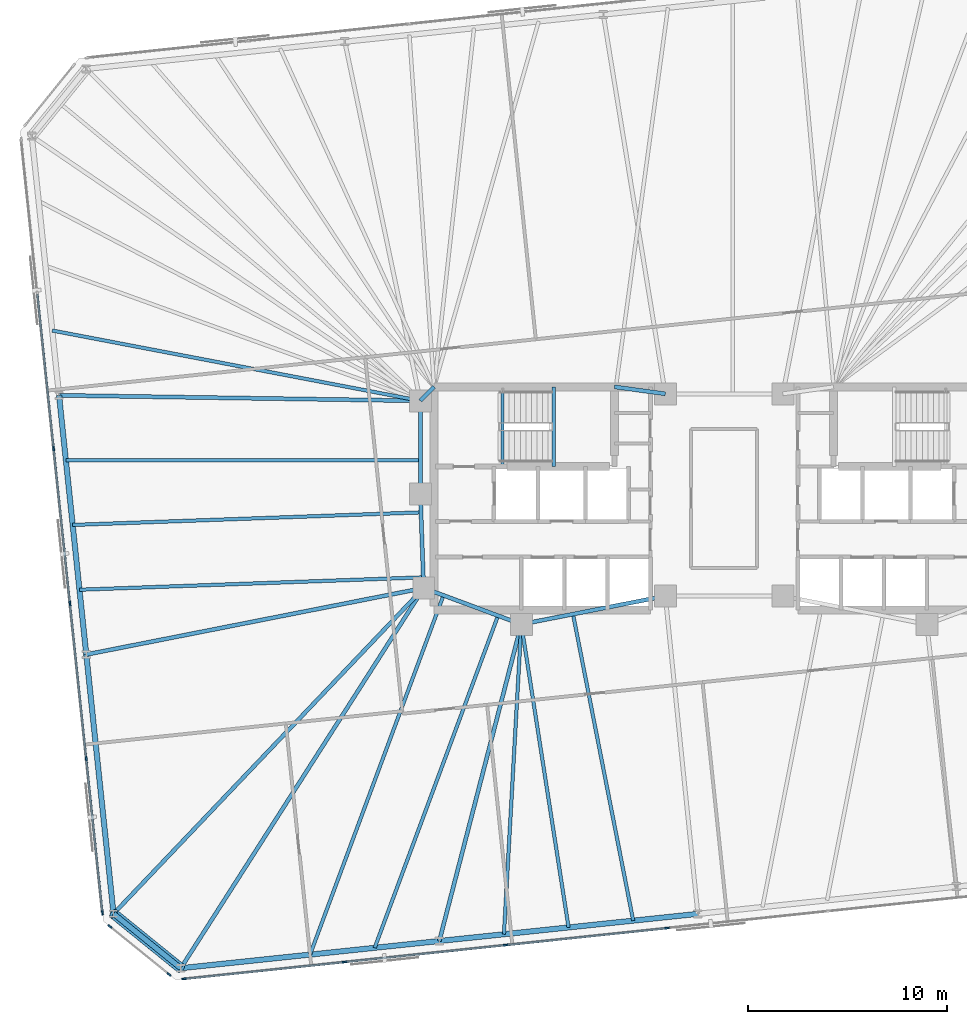
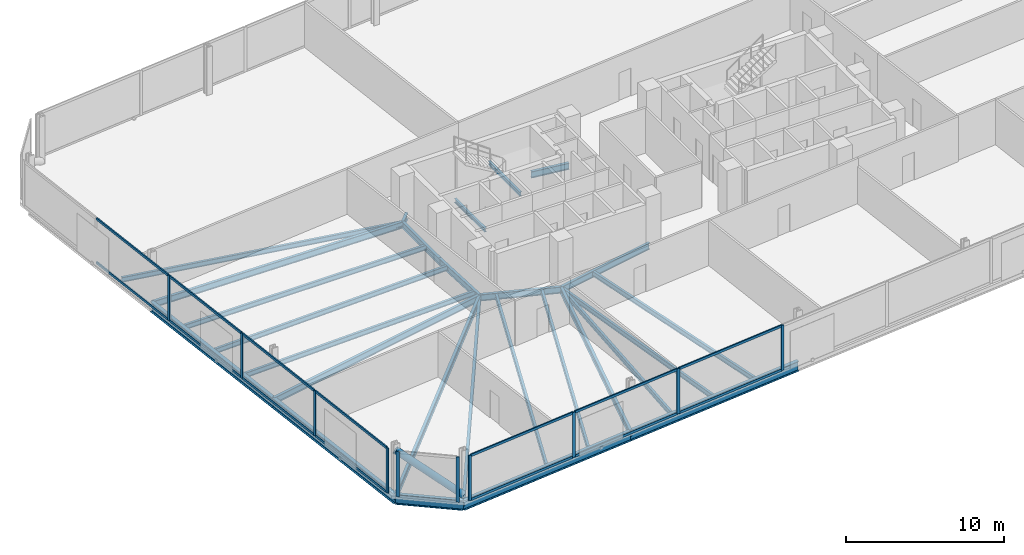
# One storey, part 6 of 18: 27 beams, 25 members, 3 elements without a shape of their own.
"""IFC4 building model written with IfcOpenShell, lengths in metres."""

from ifc_helpers import new_model, si_unit, direction, frame, origin, origin_2d, place, context, subcontext, project, spatial, rectangle, hollow_circle, i_section, extrude, material, material_profile, profile_set, type_object, element, aggregate, save


model = new_model("IFC4")

# Units and contexts
model_context = context("Model", 3, precision=1e-05, world=origin(), true_north=direction((0.0, 1.0)))
body_context = subcontext(model_context, "Body", "Model", "MODEL_VIEW")
ifc_project = project(units=[si_unit("LENGTHUNIT", "METRE"), si_unit("AREAUNIT", "SQUARE_METRE"), si_unit("VOLUMEUNIT", "CUBIC_METRE"), si_unit("PLANEANGLEUNIT", "RADIAN"), si_unit("MASSUNIT", "GRAM", prefix="KILO")], contexts=[model_context])

# Site, building, storey
site_placement = place(None, origin())
site = spatial("IfcSite", under=ifc_project, at=site_placement, CompositionType="ELEMENT")
building_placement = place(site_placement, origin())
building = spatial("IfcBuilding", under=site, at=building_placement, Name="Menara Jurai Vektor", CompositionType="ELEMENT")
storey_placement = place(building_placement, frame((0.0, 0.0, 102.199951171875)))
storey = spatial("IfcBuildingStorey", under=building, at=storey_placement, Name="L25", CompositionType="ELEMENT", Elevation=102.199951171875)

# Curtain wall, members
ifc_material_1 = material(Name="Anodised Pale Aluminium & Low-E Double Glazing", Category="aluminium")
curtain_wall_type = type_object("IfcCurtainWallType", Name="CW-BLK2", PredefinedType="NOTDEFINED", material=ifc_material_1)
curtain_wall_1_placement = place(storey_placement, origin())
curtain_wall_1 = element("IfcCurtainWall", 1, at=curtain_wall_1_placement, inside=storey, type_object=curtain_wall_type, Name="Unitised Curtain Wall L25 F01", PredefinedType="NOTDEFINED")
ifc_material_2 = material(Name="Anodised Pale Aluminium Mullion", Category="aluminium")
ifc_material_profile_1 = material_profile(ifc_material_2, rectangle(XDim=0.090087890625, YDim=0.219970703125, at=origin_2d()), Name="ALU MUL 90x220")
ifc_profile_set_1 = profile_set([ifc_material_profile_1], Name="Anodised Pale Aluminium Mullion")
member_type_1 = type_object("IfcMemberType", Name="CW-BLK2-MUL", PredefinedType="MULLION", material=ifc_profile_set_1)
member_1_placement = place(storey_placement, frame((-27.116455078125, -24.122314453125, 0.0), z_axis=(0.0, 0.0, 1.0), x_axis=(-0.104528634935, 0.994521877325, 0.0)))
member_1 = element("IfcMember", 2, at=member_1_placement, type_object=member_type_1, Name="CW-02 mullion 1", PredefinedType="MULLION", context=body_context, shape_type="SweptSolid", body=[
    extrude(rectangle(XDim=0.090087890625, YDim=0.219970703125, at=origin_2d()), origin(), (0.0, 0.0, 1.0), 3.47509765625),
])
member_2_placement = place(storey_placement, frame((-19.0634765625, -23.27587890625, 0.0), z_axis=(0.0, 0.0, 1.0), x_axis=(-0.104528634935, 0.994521877325, 0.0)))
member_2 = element("IfcMember", 3, at=member_2_placement, type_object=member_type_1, Name="CW-02 mullion 2", PredefinedType="MULLION", context=body_context, shape_type="SweptSolid", body=[
    extrude(rectangle(XDim=0.090087890625, YDim=0.219970703125, at=origin_2d()), origin(), (0.0, 0.0, 1.0), 3.47509765625),
])
member_3_placement = place(storey_placement, frame((-10.965576171875, -22.4248046875, 0.0), z_axis=(0.0, 0.0, 1.0), x_axis=(-0.104528634935, 0.994521877325, 0.0)))
member_3 = element("IfcMember", 4, at=member_3_placement, type_object=member_type_1, Name="CW-02 mullion 3", PredefinedType="MULLION", context=body_context, shape_type="SweptSolid", body=[
    extrude(rectangle(XDim=0.090087890625, YDim=0.219970703125, at=origin_2d()), origin(), (0.0, 0.0, 1.0), 3.47509765625),
])
member_4_placement = place(storey_placement, frame((-2.86767578125, -21.57373046875, 0.0), z_axis=(0.0, 0.0, 1.0), x_axis=(-0.104528634935, 0.994521877325, 0.0)))
member_4 = element("IfcMember", 5, at=member_4_placement, type_object=member_type_1, Name="CW-02 mullion 4", PredefinedType="MULLION", context=body_context, shape_type="SweptSolid", body=[
    extrude(rectangle(XDim=0.090087890625, YDim=0.219970703125, at=origin_2d()), origin(), (0.0, 0.0, 1.0), 3.47509765625),
])

curtain_wall_2_placement = place(storey_placement, origin())
curtain_wall_2 = element("IfcCurtainWall", 6, at=curtain_wall_2_placement, inside=storey, type_object=curtain_wall_type, Name="Unitised Curtain Wall L25 F07", PredefinedType="NOTDEFINED")
member_5_placement = place(storey_placement, frame((-33.66064453125, 2.50341796875, 0.0), z_axis=(0.0, 0.0, 1.0), x_axis=(0.99452177832, 0.104529576902, 0.0)))
member_5 = element("IfcMember", 7, at=member_5_placement, type_object=member_type_1, Name="CW-02 mullion 3", PredefinedType="MULLION", context=body_context, shape_type="SweptSolid", body=[
    extrude(rectangle(XDim=0.090087890625, YDim=0.219970703125, at=origin_2d()), origin(), (0.0, 0.0, 1.0), 3.47509765625),
])
member_6_placement = place(storey_placement, frame((-32.84228515625, -5.28173828125, 0.0), z_axis=(0.0, 0.0, 1.0), x_axis=(0.99452177832, 0.104529576902, 0.0)))
member_6 = element("IfcMember", 8, at=member_6_placement, type_object=member_type_1, Name="CW-02 mullion 4", PredefinedType="MULLION", context=body_context, shape_type="SweptSolid", body=[
    extrude(rectangle(XDim=0.090087890625, YDim=0.219970703125, at=origin_2d()), origin(), (0.0, 0.0, 1.0), 3.47509765625),
])
member_7_placement = place(storey_placement, frame((-32.024169921875, -13.06689453125, 0.0), z_axis=(0.0, 0.0, 1.0), x_axis=(0.99452177832, 0.104529576902, 0.0)))
member_7 = element("IfcMember", 9, at=member_7_placement, type_object=member_type_1, Name="CW-02 mullion 5", PredefinedType="MULLION", context=body_context, shape_type="SweptSolid", body=[
    extrude(rectangle(XDim=0.090087890625, YDim=0.219970703125, at=origin_2d()), origin(), (0.0, 0.0, 1.0), 3.47509765625),
])
member_8_placement = place(storey_placement, frame((-31.21044921875, -20.80712890625, 0.0), z_axis=(0.0, 0.0, 1.0), x_axis=(0.99452177832, 0.104529576902, 0.0)))
member_8 = element("IfcMember", 10, at=member_8_placement, type_object=member_type_1, Name="CW-02 mullion 6", PredefinedType="MULLION", context=body_context, shape_type="SweptSolid", body=[
    extrude(rectangle(XDim=0.090087890625, YDim=0.219970703125, at=origin_2d()), origin(), (0.0, 0.0, 1.0), 3.47509765625),
])

curtain_wall_3_placement = place(storey_placement, origin())
curtain_wall_3 = element("IfcCurtainWall", 11, at=curtain_wall_3_placement, inside=storey, type_object=curtain_wall_type, Name="Unitised Curtain Wall L25 F08", PredefinedType="NOTDEFINED")
member_9_placement = place(storey_placement, frame((-30.8359375, -21.497314453125, 0.0), z_axis=(0.0, 0.0, 1.0), x_axis=(0.629313085353, 0.777151877437, 0.0)))
member_9 = element("IfcMember", 12, at=member_9_placement, type_object=member_type_1, Name="CW-02 mullion 1", PredefinedType="MULLION", context=body_context, shape_type="SweptSolid", body=[
    extrude(rectangle(XDim=0.090087890625, YDim=0.219970703125, at=origin_2d()), origin(), (0.0, 0.0, 1.0), 3.47509765625),
])
member_10_placement = place(storey_placement, frame((-27.869384765625, -23.8994140625, 0.0), z_axis=(0.0, 0.0, 1.0), x_axis=(0.629313085353, 0.777151877437, 0.0)))
member_10 = element("IfcMember", 13, at=member_10_placement, type_object=member_type_1, Name="CW-02 mullion 2", PredefinedType="MULLION", context=body_context, shape_type="SweptSolid", body=[
    extrude(rectangle(XDim=0.090087890625, YDim=0.219970703125, at=origin_2d()), origin(), (0.0, 0.0, 1.0), 3.47509765625),
])
aggregate(curtain_wall_3, [member_9, member_10])

# Member
ifc_material_3 = material(Name="Anodised Pale Aluminium Transom", Category="aluminium")
ifc_material_profile_2 = material_profile(ifc_material_3, rectangle(XDim=0.090087890625, YDim=0.18505859375, at=origin_2d()), Name="ALU TRN 90x185")
ifc_profile_set_2 = profile_set([ifc_material_profile_2], Name="Anodised Pale Aluminium Transom")
member_type_2 = type_object("IfcMemberType", Name="CW-BLK2-TRN", PredefinedType="USERDEFINED", material=ifc_profile_set_2)
member_11_placement = place(storey_placement, frame((-27.07177734375, -24.11767578125, 0.045166015625), z_axis=(0.994523147415, 0.10451655015, 0.0), x_axis=(-0.10451655015, 0.994523147415, 0.0)))
member_11 = element("IfcMember", 14, at=member_11_placement, type_object=member_type_2, Name="CW-02 transom 1.1", ObjectType="TRANSOM", PredefinedType="USERDEFINED", context=body_context, shape_type="SweptSolid", body=[
    extrude(rectangle(XDim=0.090087890625, YDim=0.18505859375, at=origin_2d()), origin(), (0.0, 0.0, 1.0), 8.007568359375),
])

member_12_placement = place(storey_placement, frame((-27.07177734375, -24.11767578125, 3.429931640625), z_axis=(0.994523147415, 0.10451655015, 0.0), x_axis=(-0.10451655015, 0.994523147415, 0.0)))
member_12 = element("IfcMember", 15, at=member_12_placement, type_object=member_type_2, Name="CW-02 transom 1.2", ObjectType="TRANSOM", PredefinedType="USERDEFINED", context=body_context, shape_type="SweptSolid", body=[
    extrude(rectangle(XDim=0.090087890625, YDim=0.18505859375, at=origin_2d()), origin(), (0.0, 0.0, 1.0), 8.007568359375),
])

member_13_placement = place(storey_placement, frame((-19.0185546875, -23.271240234375, 0.045166015625), z_axis=(0.994520726373, 0.10453958492, 0.0), x_axis=(-0.10453958492, 0.994520726373, 0.0)))
member_13 = element("IfcMember", 16, at=member_13_placement, type_object=member_type_2, Name="CW-02 transom 2.1", ObjectType="TRANSOM", PredefinedType="USERDEFINED", context=body_context, shape_type="SweptSolid", body=[
    extrude(rectangle(XDim=0.090087890625, YDim=0.18505859375, at=origin_2d()), origin(), (0.0, 0.0, 1.0), 8.052490234375),
])

member_14_placement = place(storey_placement, frame((-19.0185546875, -23.271240234375, 3.429931640625), z_axis=(0.994520726373, 0.10453958492, 0.0), x_axis=(-0.10453958492, 0.994520726373, 0.0)))
member_14 = element("IfcMember", 17, at=member_14_placement, type_object=member_type_2, Name="CW-02 transom 2.2", ObjectType="TRANSOM", PredefinedType="USERDEFINED", context=body_context, shape_type="SweptSolid", body=[
    extrude(rectangle(XDim=0.090087890625, YDim=0.18505859375, at=origin_2d()), origin(), (0.0, 0.0, 1.0), 8.052490234375),
])

member_15_placement = place(storey_placement, frame((-10.920654296875, -22.420166015625, 0.045166015625), z_axis=(0.994520726373, 0.10453958492, 0.0), x_axis=(-0.10453958492, 0.994520726373, 0.0)))
member_15 = element("IfcMember", 18, at=member_15_placement, type_object=member_type_2, Name="CW-02 transom 3.1", ObjectType="TRANSOM", PredefinedType="USERDEFINED", context=body_context, shape_type="SweptSolid", body=[
    extrude(rectangle(XDim=0.090087890625, YDim=0.18505859375, at=origin_2d()), origin(), (0.0, 0.0, 1.0), 8.052490234375),
])

member_16_placement = place(storey_placement, frame((-10.920654296875, -22.420166015625, 3.429931640625), z_axis=(0.994520726373, 0.10453958492, 0.0), x_axis=(-0.10453958492, 0.994520726373, 0.0)))
member_16 = element("IfcMember", 19, at=member_16_placement, type_object=member_type_2, Name="CW-02 transom 3.2", ObjectType="TRANSOM", PredefinedType="USERDEFINED", context=body_context, shape_type="SweptSolid", body=[
    extrude(rectangle(XDim=0.090087890625, YDim=0.18505859375, at=origin_2d()), origin(), (0.0, 0.0, 1.0), 8.052490234375),
])

aggregate(curtain_wall_1, [member_1, member_2, member_3, member_4, member_11, member_12, member_13, member_14, member_15, member_16])

member_17_placement = place(storey_placement, frame((-34.47412109375, 10.243896484375, 0.045166015625), z_axis=(0.104525476786, -0.994522209256, 0.0), x_axis=(0.994522209256, 0.104525476786, 0.0)))
member_17 = element("IfcMember", 20, at=member_17_placement, type_object=member_type_2, Name="CW-02 transom 2.1", ObjectType="TRANSOM", PredefinedType="USERDEFINED", context=body_context, shape_type="SweptSolid", body=[
    extrude(rectangle(XDim=0.090087890625, YDim=0.18505859375, at=origin_2d()), origin(), (0.0, 0.0, 1.0), 7.73828125),
])

member_18_placement = place(storey_placement, frame((-34.47412109375, 10.243896484375, 3.429931640625), z_axis=(0.104525476786, -0.994522209256, 0.0), x_axis=(0.994522209256, 0.104525476786, 0.0)))
member_18 = element("IfcMember", 21, at=member_18_placement, type_object=member_type_2, Name="CW-02 transom 2.2", ObjectType="TRANSOM", PredefinedType="USERDEFINED", context=body_context, shape_type="SweptSolid", body=[
    extrude(rectangle(XDim=0.090087890625, YDim=0.18505859375, at=origin_2d()), origin(), (0.0, 0.0, 1.0), 7.73828125),
])

member_19_placement = place(storey_placement, frame((-33.65576171875, 2.458740234375, 0.045166015625), z_axis=(0.104525476786, -0.994522209256, 0.0), x_axis=(0.994522209256, 0.104525476786, 0.0)))
member_19 = element("IfcMember", 22, at=member_19_placement, type_object=member_type_2, Name="CW-02 transom 3.1", ObjectType="TRANSOM", PredefinedType="USERDEFINED", context=body_context, shape_type="SweptSolid", body=[
    extrude(rectangle(XDim=0.090087890625, YDim=0.18505859375, at=origin_2d()), origin(), (0.0, 0.0, 1.0), 7.73828125),
])

member_20_placement = place(storey_placement, frame((-33.65576171875, 2.458740234375, 3.429931640625), z_axis=(0.104525476786, -0.994522209256, 0.0), x_axis=(0.994522209256, 0.104525476786, 0.0)))
member_20 = element("IfcMember", 23, at=member_20_placement, type_object=member_type_2, Name="CW-02 transom 3.2", ObjectType="TRANSOM", PredefinedType="USERDEFINED", context=body_context, shape_type="SweptSolid", body=[
    extrude(rectangle(XDim=0.090087890625, YDim=0.18505859375, at=origin_2d()), origin(), (0.0, 0.0, 1.0), 7.73828125),
])

member_21_placement = place(storey_placement, frame((-32.837646484375, -5.326416015625, 0.045166015625), z_axis=(0.104525476786, -0.994522209256, 0.0), x_axis=(0.994522209256, 0.104525476786, 0.0)))
member_21 = element("IfcMember", 24, at=member_21_placement, type_object=member_type_2, Name="CW-02 transom 4.1", ObjectType="TRANSOM", PredefinedType="USERDEFINED", context=body_context, shape_type="SweptSolid", body=[
    extrude(rectangle(XDim=0.090087890625, YDim=0.18505859375, at=origin_2d()), origin(), (0.0, 0.0, 1.0), 7.73828125),
])

member_22_placement = place(storey_placement, frame((-32.837646484375, -5.326416015625, 3.429931640625), z_axis=(0.104525476786, -0.994522209256, 0.0), x_axis=(0.994522209256, 0.104525476786, 0.0)))
member_22 = element("IfcMember", 25, at=member_22_placement, type_object=member_type_2, Name="CW-02 transom 4.2", ObjectType="TRANSOM", PredefinedType="USERDEFINED", context=body_context, shape_type="SweptSolid", body=[
    extrude(rectangle(XDim=0.090087890625, YDim=0.18505859375, at=origin_2d()), origin(), (0.0, 0.0, 1.0), 7.73828125),
])

member_23_placement = place(storey_placement, frame((-32.019287109375, -13.111572265625, 0.045166015625), z_axis=(0.104536105602, -0.994521092097, 0.0), x_axis=(0.994521092097, 0.104536105602, 0.0)))
member_23 = element("IfcMember", 26, at=member_23_placement, type_object=member_type_2, Name="CW-02 transom 5.1", ObjectType="TRANSOM", PredefinedType="USERDEFINED", context=body_context, shape_type="SweptSolid", body=[
    extrude(rectangle(XDim=0.090087890625, YDim=0.18505859375, at=origin_2d()), origin(), (0.0, 0.0, 1.0), 7.693115234375),
])

member_24_placement = place(storey_placement, frame((-32.019287109375, -13.111572265625, 3.429931640625), z_axis=(0.104536105602, -0.994521092097, 0.0), x_axis=(0.994521092097, 0.104536105602, 0.0)))
member_24 = element("IfcMember", 27, at=member_24_placement, type_object=member_type_2, Name="CW-02 transom 5.2", ObjectType="TRANSOM", PredefinedType="USERDEFINED", context=body_context, shape_type="SweptSolid", body=[
    extrude(rectangle(XDim=0.090087890625, YDim=0.18505859375, at=origin_2d()), origin(), (0.0, 0.0, 1.0), 7.693115234375),
])

aggregate(curtain_wall_2, [member_5, member_6, member_7, member_8, member_17, member_18, member_19, member_20, member_21, member_22, member_23, member_24])

# Beams
ifc_material_4 = material(Name="Steel S355", Category="steel")
ifc_material_profile_3 = material_profile(ifc_material_4, i_section(OverallWidth=0.199951171875, OverallDepth=0.5, WebThickness=0.011962890625, FlangeThickness=0.02001953125, at=origin_2d()), Name="PG 500x200x96")
ifc_profile_set_3 = profile_set([ifc_material_profile_3], Name="Steel S355")
beam_type_1 = type_object("IfcBeamType", Name="STR-BM-500", PredefinedType="BEAM", material=ifc_profile_set_3)
beam_1_placement = place(storey_placement, frame((-15.25, 4.89990234375, -0.474853515625), z_axis=(0.701871936926, 0.712303154672, 0.0), x_axis=(-0.712303154672, 0.701871936926, 0.0)))
element("IfcBeam", 28, at=beam_1_placement, inside=storey, type_object=beam_type_1, Name="Core Ring Header Girder L25-CHW-N1", PredefinedType="BEAM", context=body_context, shape_type="SweptSolid", body=[
    extrude(i_section(OverallWidth=0.199951171875, OverallDepth=0.5, WebThickness=0.011962890625, FlangeThickness=0.02001953125, at=origin_2d()), origin(), (0.0, 0.0, 1.0), 0.98291015625),
])
beam_2_placement = place(storey_placement, frame((-5.5, 5.60009765625, -0.474853515625), z_axis=(0.990706818608, -0.136014703483, 0.0), x_axis=(0.136014703483, 0.990706818608, 0.0)))
element("IfcBeam", 29, at=beam_2_placement, inside=storey, type_object=beam_type_1, Name="Core Ring Header Girder L25-CHW-N2", PredefinedType="BEAM", context=body_context, shape_type="SweptSolid", body=[
    extrude(i_section(OverallWidth=0.199951171875, OverallDepth=0.5, WebThickness=0.011962890625, FlangeThickness=0.02001953125, at=origin_2d()), origin(), (0.0, 0.0, 1.0), 2.573974609375),
])
beam_3_placement = place(storey_placement, frame((-15.25, 0.219970703125, -0.474853515625), z_axis=(0.0, 1.0, 0.0), x_axis=(-1.0, 0.0, 0.0)))
element("IfcBeam", 30, at=beam_3_placement, inside=storey, type_object=beam_type_1, Name="Core Ring Header Girder L25-CHW-W1", PredefinedType="BEAM", context=body_context, shape_type="SweptSolid", body=[
    extrude(i_section(OverallWidth=0.199951171875, OverallDepth=0.5, WebThickness=0.011962890625, FlangeThickness=0.02001953125, at=origin_2d()), origin(), (0.0, 0.0, 1.0), 4.679931640625),
])
beam_4_placement = place(storey_placement, frame((-15.080078125, -4.5, -0.474853515625), z_axis=(-0.035977314146, 0.999352606874, 0.0), x_axis=(-0.999352606874, -0.035977314146, 0.0)))
element("IfcBeam", 31, at=beam_4_placement, inside=storey, type_object=beam_type_1, Name="Core Ring Header Girder L25-CHW-W2", PredefinedType="BEAM", context=body_context, shape_type="SweptSolid", body=[
    extrude(i_section(OverallWidth=0.199951171875, OverallDepth=0.5, WebThickness=0.011962890625, FlangeThickness=0.02001953125, at=origin_2d()), origin(), (0.0, 0.0, 1.0), 4.72314453125),
])
beam_5_placement = place(storey_placement, frame((-15.080078125, -4.5, -0.474853515625), z_axis=(0.937424400887, -0.348188874925, 0.0), x_axis=(0.348188874925, 0.937424400887, 0.0)))
element("IfcBeam", 32, at=beam_5_placement, inside=storey, type_object=beam_type_1, Name="Core Ring Header Girder L25-CHW-S1", PredefinedType="BEAM", context=body_context, shape_type="SweptSolid", body=[
    extrude(i_section(OverallWidth=0.199951171875, OverallDepth=0.5, WebThickness=0.011962890625, FlangeThickness=0.02001953125, at=origin_2d()), origin(), (0.0, 0.0, 1.0), 5.227294921875),
])
beam_6_placement = place(storey_placement, frame((-10.179931640625, -6.320068359375, -0.474853515625), z_axis=(0.981249044334, 0.192744164614, 0.0), x_axis=(-0.192744164614, 0.981249044334, 0.0)))
element("IfcBeam", 33, at=beam_6_placement, inside=storey, type_object=beam_type_1, Name="Core Ring Header Girder L25-CHW-S2", PredefinedType="BEAM", context=body_context, shape_type="SweptSolid", body=[
    extrude(i_section(OverallWidth=0.199951171875, OverallDepth=0.5, WebThickness=0.011962890625, FlangeThickness=0.02001953125, at=origin_2d()), origin(), (0.0, 0.0, 1.0), 7.3681640625),
])
beam_7_placement = place(storey_placement, frame((-27.2763671875, -23.586181640625, -0.474853515625), z_axis=(0.538462629542, 0.842649391258, 0.0), x_axis=(-0.842649391258, 0.538462629542, 0.0)))
element("IfcBeam", 34, at=beam_7_placement, inside=storey, type_object=beam_type_1, Name="Radial Floor Girder L25-S1", PredefinedType="BEAM", context=body_context, shape_type="SweptSolid", body=[
    extrude(i_section(OverallWidth=0.199951171875, OverallDepth=0.5, WebThickness=0.011962890625, FlangeThickness=0.02001953125, at=origin_2d()), origin(), (0.0, 0.0, 1.0), 22.650146484375),
])
beam_8_placement = place(storey_placement, frame((-14.296630859375, -22.221923828125, -0.474853515625), z_axis=(0.250619644892, 0.968085633399, 0.0), x_axis=(-0.968085633399, 0.250619644892, 0.0)))
element("IfcBeam", 35, at=beam_8_placement, inside=storey, type_object=beam_type_1, Name="Radial Floor Girder L25-S2", PredefinedType="BEAM", context=body_context, shape_type="SweptSolid", body=[
    extrude(i_section(OverallWidth=0.199951171875, OverallDepth=0.5, WebThickness=0.011962890625, FlangeThickness=0.02001953125, at=origin_2d()), origin(), (0.0, 0.0, 1.0), 16.426025390625),
])
beam_9_placement = place(storey_placement, frame((-33.38818359375, 5.175048828125, -0.474853515625), z_axis=(0.999884963566, -0.015167716827, 0.0), x_axis=(0.015167716827, 0.999884963566, 0.0)))
element("IfcBeam", 36, at=beam_9_placement, inside=storey, type_object=beam_type_1, Name="Radial Floor Girder L25-W2", PredefinedType="BEAM", context=body_context, shape_type="SweptSolid", body=[
    extrude(i_section(OverallWidth=0.199951171875, OverallDepth=0.5, WebThickness=0.011962890625, FlangeThickness=0.02001953125, at=origin_2d()), origin(), (0.0, 0.0, 1.0), 18.140380859375),
])
beam_10_placement = place(storey_placement, frame((-32.0205078125, -7.83837890625, -0.474853515625), z_axis=(0.98113039493, 0.193347221714, 0.0), x_axis=(-0.193347221714, 0.98113039493, 0.0)))
element("IfcBeam", 37, at=beam_10_placement, inside=storey, type_object=beam_type_1, Name="Radial Floor Girder L25-W3", PredefinedType="BEAM", context=body_context, shape_type="SweptSolid", body=[
    extrude(i_section(OverallWidth=0.199951171875, OverallDepth=0.5, WebThickness=0.011962890625, FlangeThickness=0.02001953125, at=origin_2d()), origin(), (0.0, 0.0, 1.0), 17.266357421875),
])
beam_11_placement = place(storey_placement, frame((-30.65283203125, -20.85205078125, -0.474853515625), z_axis=(0.689640593718, 0.724151815227, 0.0), x_axis=(-0.724151815227, 0.689640593718, 0.0)))
element("IfcBeam", 38, at=beam_11_placement, inside=storey, type_object=beam_type_1, Name="Radial Floor Girder L25-W4", PredefinedType="BEAM", context=body_context, shape_type="SweptSolid", body=[
    extrude(i_section(OverallWidth=0.199951171875, OverallDepth=0.5, WebThickness=0.011962890625, FlangeThickness=0.02001953125, at=origin_2d()), origin(), (0.0, 0.0, 1.0), 22.5810546875),
])

# Member
ifc_material_5 = material(Name="Steel S460", Category="steel")
ifc_material_profile_4 = material_profile(ifc_material_5, hollow_circle(Radius=0.25390625, WallThickness=0.02001953125, at=origin_2d()), Name="CHS 508x20")
ifc_profile_set_4 = profile_set([ifc_material_profile_4], Name="Steel S460")
member_type_3 = type_object("IfcMemberType", Name="STR-BR-508", PredefinedType="BRACE", material=ifc_profile_set_4)
member_25_placement = place(storey_placement, frame((-27.2763671875, -23.586181640625, 0.150146484375), z_axis=(-0.641240080956, 0.51925145818, 0.564968213047), x_axis=(-0.629309762217, -0.777154568396, 0.0)))
element("IfcMember", 39, at=member_25_placement, inside=storey, type_object=member_type_3, Name="Exoskeleton Corner Brace L25-4", PredefinedType="BRACE", context=body_context, shape_type="SweptSolid", body=[
    extrude(hollow_circle(Radius=0.25390625, WallThickness=0.02001953125, at=origin_2d()), origin(), (0.0, 0.0, 1.0), 5.265625),
])

# Beams
ifc_material_profile_5 = material_profile(ifc_material_4, i_section(OverallWidth=0.175048828125, OverallDepth=0.3798828125, WebThickness=0.010009765625, FlangeThickness=0.014892578125, at=origin_2d()), Name="PG 380x175x58")
ifc_profile_set_5 = profile_set([ifc_material_profile_5], Name="Steel S355")
beam_type_2 = type_object("IfcBeamType", Name="STR-JS-380", PredefinedType="JOIST", material=ifc_profile_set_5)
beam_12_placement = place(storey_placement, frame((-20.78662109375, -22.904052734375, -0.4150390625), z_axis=(0.34819162731, 0.93742337856, 0.0), x_axis=(-0.93742337856, 0.34819162731, 0.0)))
element("IfcBeam", 40, at=beam_12_placement, inside=storey, type_object=beam_type_2, Name="Radial Secondary Floor Joist L25-JS01", PredefinedType="JOIST", context=body_context, shape_type="SweptSolid", body=[
    extrude(i_section(OverallWidth=0.175048828125, OverallDepth=0.3798828125, WebThickness=0.010009765625, FlangeThickness=0.014892578125, at=origin_2d()), origin(), (0.0, 0.0, 1.0), 19.2392578125),
])
beam_13_placement = place(storey_placement, frame((-17.54150390625, -22.56298828125, -0.4150390625), z_axis=(0.348184462185, 0.937426039906, 0.0), x_axis=(-0.937426039906, 0.348184462185, 0.0)))
element("IfcBeam", 41, at=beam_13_placement, inside=storey, type_object=beam_type_2, Name="Radial Secondary Floor Joist L25-JS02", PredefinedType="JOIST", context=body_context, shape_type="SweptSolid", body=[
    extrude(i_section(OverallWidth=0.175048828125, OverallDepth=0.3798828125, WebThickness=0.010009765625, FlangeThickness=0.014892578125, at=origin_2d()), origin(), (0.0, 0.0, 1.0), 17.789794921875),
])
beam_14_placement = place(storey_placement, frame((-11.0517578125, -21.880859375, -0.4150390625), z_axis=(0.055939382302, 0.998434166837, 0.0), x_axis=(-0.998434166837, 0.055939382302, 0.0)))
element("IfcBeam", 42, at=beam_14_placement, inside=storey, type_object=beam_type_2, Name="Radial Secondary Floor Joist L25-JS03", PredefinedType="JOIST", context=body_context, shape_type="SweptSolid", body=[
    extrude(i_section(OverallWidth=0.175048828125, OverallDepth=0.3798828125, WebThickness=0.010009765625, FlangeThickness=0.014892578125, at=origin_2d()), origin(), (0.0, 0.0, 1.0), 15.585205078125),
])
beam_15_placement = place(storey_placement, frame((-7.806884765625, -21.539794921875, -0.4150390625), z_axis=(-0.154057765645, 0.988061842622, 0.0), x_axis=(-0.988061842622, -0.154057765645, 0.0)))
element("IfcBeam", 43, at=beam_15_placement, inside=storey, type_object=beam_type_2, Name="Radial Secondary Floor Joist L25-JS04", PredefinedType="JOIST", context=body_context, shape_type="SweptSolid", body=[
    extrude(i_section(OverallWidth=0.175048828125, OverallDepth=0.3798828125, WebThickness=0.010009765625, FlangeThickness=0.014892578125, at=origin_2d()), origin(), (0.0, 0.0, 1.0), 15.403564453125),
])
beam_16_placement = place(storey_placement, frame((-4.56201171875, -21.19873046875, -0.4150390625), z_axis=(-0.19271398667, 0.981254971627, 0.0), x_axis=(-0.981254971627, -0.19271398667, 0.0)))
element("IfcBeam", 44, at=beam_16_placement, inside=storey, type_object=beam_type_2, Name="Radial Secondary Floor Joist L25-JS05", PredefinedType="JOIST", context=body_context, shape_type="SweptSolid", body=[
    extrude(i_section(OverallWidth=0.175048828125, OverallDepth=0.3798828125, WebThickness=0.010009765625, FlangeThickness=0.014892578125, at=origin_2d()), origin(), (0.0, 0.0, 1.0), 15.682373046875),
])
beam_17_placement = place(storey_placement, frame((-33.730224609375, 8.428466796875, -0.4150390625), z_axis=(0.982255215221, -0.187549172674, 0.0), x_axis=(0.187549172674, 0.982255215221, 0.0)))
element("IfcBeam", 45, at=beam_17_placement, inside=storey, type_object=beam_type_2, Name="Radial Secondary Floor Joist L25-JS38", PredefinedType="JOIST", context=body_context, shape_type="SweptSolid", body=[
    extrude(i_section(OverallWidth=0.175048828125, OverallDepth=0.3798828125, WebThickness=0.010009765625, FlangeThickness=0.014892578125, at=origin_2d()), origin(), (0.0, 0.0, 1.0), 18.81396484375),
])
beam_18_placement = place(storey_placement, frame((-33.04638671875, 1.921630859375, -0.4150390625), z_axis=(1.0, 0.0, 0.0), x_axis=(0.0, 1.0, 0.0)))
element("IfcBeam", 46, at=beam_18_placement, inside=storey, type_object=beam_type_2, Name="Radial Secondary Floor Joist L25-JS39", PredefinedType="JOIST", context=body_context, shape_type="SweptSolid", body=[
    extrude(i_section(OverallWidth=0.175048828125, OverallDepth=0.3798828125, WebThickness=0.010009765625, FlangeThickness=0.014892578125, at=origin_2d()), origin(), (0.0, 0.0, 1.0), 17.79638671875),
])
beam_19_placement = place(storey_placement, frame((-32.704345703125, -1.331787109375, -0.4150390625), z_axis=(0.999351948809, 0.035995588769, 0.0), x_axis=(-0.035995588769, 0.999351948809, 0.0)))
element("IfcBeam", 47, at=beam_19_placement, inside=storey, type_object=beam_type_2, Name="Radial Secondary Floor Joist L25-JS40", PredefinedType="JOIST", context=body_context, shape_type="SweptSolid", body=[
    extrude(i_section(OverallWidth=0.175048828125, OverallDepth=0.3798828125, WebThickness=0.010009765625, FlangeThickness=0.014892578125, at=origin_2d()), origin(), (0.0, 0.0, 1.0), 17.498779296875),
])
beam_20_placement = place(storey_placement, frame((-32.362548828125, -4.5849609375, -0.4150390625), z_axis=(0.999352405578, 0.03598290517, 0.0), x_axis=(-0.03598290517, 0.999352405578, 0.0)))
element("IfcBeam", 48, at=beam_20_placement, inside=storey, type_object=beam_type_2, Name="Radial Secondary Floor Joist L25-JS41", PredefinedType="JOIST", context=body_context, shape_type="SweptSolid", body=[
    extrude(i_section(OverallWidth=0.175048828125, OverallDepth=0.3798828125, WebThickness=0.010009765625, FlangeThickness=0.014892578125, at=origin_2d()), origin(), (0.0, 0.0, 1.0), 17.2744140625),
])
ifc_material_profile_6 = material_profile(ifc_material_4, i_section(OverallWidth=0.1650390625, OverallDepth=0.302978515625, WebThickness=0.006103515625, FlangeThickness=0.010009765625, FilletRadius=0.009033203125, at=origin_2d()), Name="UKB 305x165x40")
ifc_profile_set_6 = profile_set([ifc_material_profile_6], Name="Steel S355")
beam_type_3 = type_object("IfcBeamType", Name="STR-LN-305", PredefinedType="LINTEL", material=ifc_profile_set_6)
beam_21_placement = place(storey_placement, frame((-11.1201171875, 1.60009765625, -0.37646484375), z_axis=(0.0, 1.0, 0.0), x_axis=(-1.0, 0.0, 0.0)))
element("IfcBeam", 49, at=beam_21_placement, inside=storey, type_object=beam_type_3, Name="Stair Well Floor Trimmer ST1 L25", PredefinedType="LINTEL", context=body_context, shape_type="SweptSolid", body=[
    extrude(i_section(OverallWidth=0.1650390625, OverallDepth=0.302978515625, WebThickness=0.006103515625, FlangeThickness=0.010009765625, FilletRadius=0.009033203125, at=origin_2d()), origin(), (0.0, 0.0, 1.0), 3.81982421875),
])
beam_22_placement = place(storey_placement, frame((-8.550048828125, 1.60009765625, 1.49853515625), z_axis=(0.0, 1.0, 0.0), x_axis=(-1.0, 0.0, 0.0)))
element("IfcBeam", 50, at=beam_22_placement, inside=storey, type_object=beam_type_3, Name="Stair Half-Landing Nosing Trimmer ST1-1 L25", PredefinedType="LINTEL", context=body_context, shape_type="SweptSolid", body=[
    extrude(i_section(OverallWidth=0.1650390625, OverallDepth=0.302978515625, WebThickness=0.006103515625, FlangeThickness=0.010009765625, FilletRadius=0.009033203125, at=origin_2d()), origin(), (0.0, 0.0, 1.0), 4.0),
])
ifc_material_profile_7 = material_profile(ifc_material_5, i_section(OverallWidth=0.26806640625, OverallDepth=0.77001953125, WebThickness=0.01611328125, FlangeThickness=0.02490234375, FilletRadius=0.01708984375, at=origin_2d()), Name="UKB 762x267x197")
ifc_profile_set_7 = profile_set([ifc_material_profile_7], Name="Steel S460")
beam_type_4 = type_object("IfcBeamType", Name="STR-SP-762", PredefinedType="SPANDREL", material=ifc_profile_set_7)
for number, where, z_axis, x_axis, name in (
    (51, (-27.2763671875, -23.586181640625, -0.60986328125), (0.994521636083, 0.104530930169, 0.0), (-0.104530930169, 0.994521636083, 0.0), "Exoskeleton Spandrel Beam L25-01"),
    (52, (-14.296630859375, -22.221923828125, -0.60986328125), (0.994523580592, 0.104512428191, 0.0), (-0.104512428191, 0.994523580592, 0.0), "Exoskeleton Spandrel Beam L25-02"),
):
    element("IfcBeam", number, at=place(storey_placement, frame(where, z_axis=z_axis, x_axis=x_axis)), inside=storey, type_object=beam_type_4, Name=name, PredefinedType="SPANDREL", context=body_context, shape_type="SweptSolid", body=[
        extrude(i_section(OverallWidth=0.26806640625, OverallDepth=0.77001953125, WebThickness=0.01611328125, FlangeThickness=0.02490234375, FilletRadius=0.01708984375, at=origin_2d()), origin(), (0.0, 0.0, 1.0), 13.05126953125),
    ])
beam_23_placement = place(storey_placement, frame((-33.38818359375, 5.175048828125, -0.60986328125), z_axis=(0.104521615846, -0.994522615037, 0.0), x_axis=(0.994522615037, 0.104521615846, 0.0)))
element("IfcBeam", 53, at=beam_23_placement, inside=storey, type_object=beam_type_4, Name="Exoskeleton Spandrel Beam L25-18", PredefinedType="SPANDREL", context=body_context, shape_type="SweptSolid", body=[
    extrude(i_section(OverallWidth=0.26806640625, OverallDepth=0.77001953125, WebThickness=0.01611328125, FlangeThickness=0.02490234375, FilletRadius=0.01708984375, at=origin_2d()), origin(), (0.0, 0.0, 1.0), 13.085205078125),
])
beam_24_placement = place(storey_placement, frame((-32.0205078125, -7.83837890625, -0.60986328125), z_axis=(0.104519676409, -0.994522818865, 0.0), x_axis=(0.994522818865, 0.104519676409, 0.0)))
element("IfcBeam", 54, at=beam_24_placement, inside=storey, type_object=beam_type_4, Name="Exoskeleton Spandrel Beam L25-19", PredefinedType="SPANDREL", context=body_context, shape_type="SweptSolid", body=[
    extrude(i_section(OverallWidth=0.26806640625, OverallDepth=0.77001953125, WebThickness=0.01611328125, FlangeThickness=0.02490234375, FilletRadius=0.01708984375, at=origin_2d()), origin(), (0.0, 0.0, 1.0), 13.08544921875),
])
beam_25_placement = place(storey_placement, frame((-30.65283203125, -20.85205078125, -0.60986328125), z_axis=(0.777154568396, -0.629309762217, 0.0), x_axis=(0.629309762217, 0.777154568396, 0.0)))
element("IfcBeam", 55, at=beam_25_placement, inside=storey, type_object=beam_type_4, Name="Exoskeleton Spandrel Beam L25-20", PredefinedType="SPANDREL", context=body_context, shape_type="SweptSolid", body=[
    extrude(i_section(OverallWidth=0.26806640625, OverallDepth=0.77001953125, WebThickness=0.01611328125, FlangeThickness=0.02490234375, FilletRadius=0.01708984375, at=origin_2d()), origin(), (0.0, 0.0, 1.0), 4.3447265625),
])

save(model, "model.ifc")
